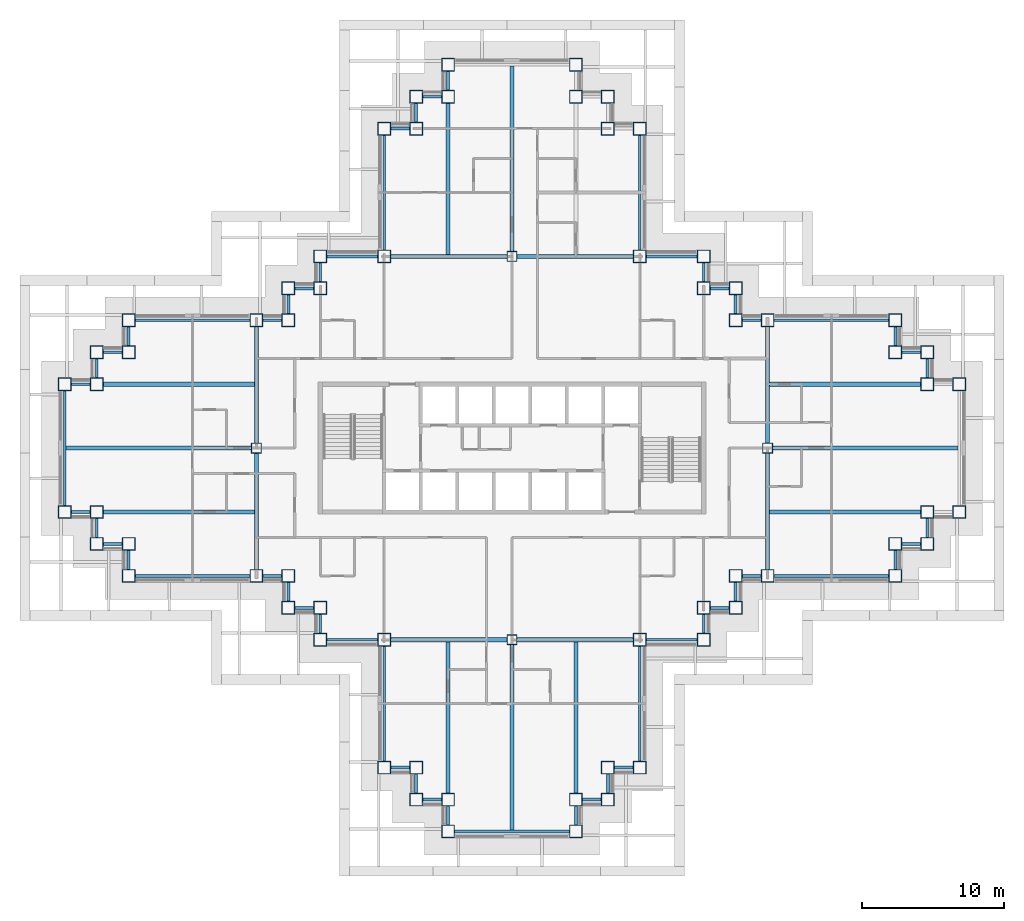
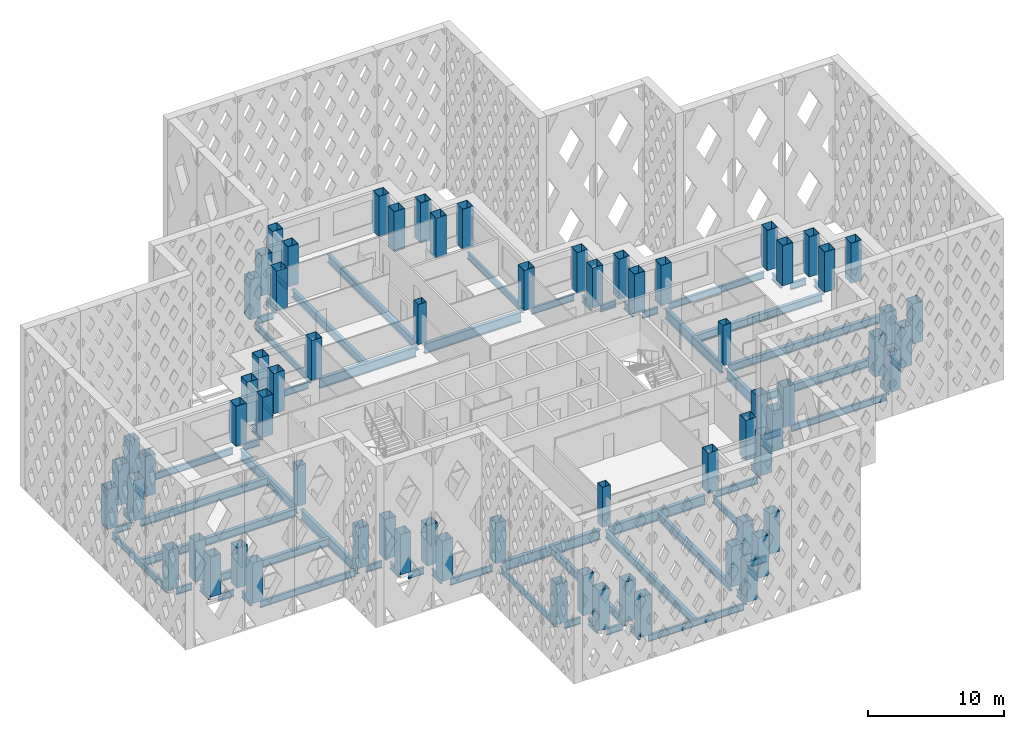
# One storey, part 1 of 21: 75 beams, 68 columns.
"""IFC4 building model written with IfcOpenShell, lengths in metres."""

import ifcopenshell
import ifcopenshell.guid

model = None  # the IFC model being written
_history = None  # IfcOwnerHistory: only IFC2X3 demands one
_inside = {}  # id of a spatial element -> (the spatial element, [elements in it])
_under = {}  # id of a project, library or spatial element -> (it, [spatial elements below it])
_declared = {}  # id of a project -> (the project, [libraries it declares])
_typed = {}  # id of a type object -> (the type object, [elements of that type])
_made_of = {}  # id of a material, layer set ... -> (it, [elements and type objects made of it])


def new_model(schema):
    """Start an empty IFC model of exactly this schema.

    Asked for "IFC4X3", IfcOpenShell would pick the latest addendum, in which some entities
    have other attributes; the version numbers below select the first issue.
    IFC2X3 requires an IfcOwnerHistory on every rooted entity: one is made here for all.
    """
    global model, _history
    if schema == "IFC4X3":
        model = ifcopenshell.file(schema_version=(4, 3, 0, 0))
    else:
        model = ifcopenshell.file(schema=schema)
    _inside.clear()
    _under.clear()
    _declared.clear()
    _typed.clear()
    _made_of.clear()
    _history = None
    if model.schema == "IFC2X3":
        org = make("IfcOrganization", Name="unknown")
        user = make(
            "IfcPersonAndOrganization",
            ThePerson=make("IfcPerson", FamilyName="unknown"),
            TheOrganization=org,
        )
        app = make(
            "IfcApplication",
            ApplicationDeveloper=org,
            Version="unknown",
            ApplicationFullName="unknown",
            ApplicationIdentifier="unknown",
        )
        _history = make(
            "IfcOwnerHistory",
            OwningUser=user,
            OwningApplication=app,
            ChangeAction="ADDED",
            CreationDate=0,
        )
    return model


def make(cls, **values):
    """One entity of the class cls with the attributes given. An attribute that is None is left unset."""
    return model.create_entity(
        cls, **{name: value for name, value in values.items() if value is not None}
    )


def rooted(cls, **values):
    """An entity with a GlobalId (a new one), such as an element, a storey or a relation."""
    return make(cls, GlobalId=ifcopenshell.guid.new(), OwnerHistory=_history, **values)


def si_unit(unit_type, name, prefix=None):
    """IfcSIUnit, for example si_unit("LENGTHUNIT", "METRE", prefix="MILLI")."""
    return make("IfcSIUnit", UnitType=unit_type, Prefix=prefix, Name=name)


def assignment(units):
    """IfcUnitAssignment: the units of a project."""
    return None if units is None else make("IfcUnitAssignment", Units=units)


def point(xyz):
    """IfcCartesianPoint."""
    return None if xyz is None else make("IfcCartesianPoint", Coordinates=xyz)


def direction(xyz):
    """IfcDirection."""
    return None if xyz is None else make("IfcDirection", DirectionRatios=xyz)


def frame(location, z_axis=None, x_axis=None):
    """IfcAxis2Placement3D, a coordinate frame: its origin and axes. An axis left out is left unset."""
    return make(
        "IfcAxis2Placement3D",
        Location=point(location),
        Axis=direction(z_axis),
        RefDirection=direction(x_axis),
    )


def frame_2d(location, x_axis=None):
    """IfcAxis2Placement2D, a coordinate frame in the plane: its origin and x axis."""
    return make(
        "IfcAxis2Placement2D", Location=point(location), RefDirection=direction(x_axis)
    )


def origin():
    """The frame at (0, 0, 0) with its axes left unset."""
    return frame((0.0, 0.0, 0.0))


def origin_2d():
    """The frame at (0, 0) in the plane with its x axis left unset."""
    return frame_2d((0.0, 0.0))


def place(relative_to, where):
    """IfcLocalPlacement: puts the frame where relative to a parent placement (None: the world)."""
    return make(
        "IfcLocalPlacement", PlacementRelTo=relative_to, RelativePlacement=where
    )


def context(
    kind, dimensions, precision=None, world=None, true_north=None, identifier=None
):
    """IfcGeometricRepresentationContext, for example the 3D "Model" context."""
    return make(
        "IfcGeometricRepresentationContext",
        ContextIdentifier=identifier,
        ContextType=kind,
        CoordinateSpaceDimension=dimensions,
        Precision=precision,
        WorldCoordinateSystem=world,
        TrueNorth=true_north,
    )


def subcontext(parent, identifier, kind, view, scale=None):
    """IfcGeometricRepresentationSubContext, for example "Body" below "Model"."""
    return make(
        "IfcGeometricRepresentationSubContext",
        ContextIdentifier=identifier,
        ContextType=kind,
        ParentContext=parent,
        TargetScale=scale,
        TargetView=view,
    )


def project(units=None, contexts=None):
    """IfcProject with its units and contexts."""
    return rooted(
        "IfcProject",
        Name="project",
        RepresentationContexts=contexts,
        UnitsInContext=assignment(units),
    )


def spatial(cls, under=None, at=None, **own):
    """A site, building, storey or space (cls), placed at a placement, below another one or the project."""
    s = rooted(cls, ObjectPlacement=at, **own)
    if under is not None:
        _under.setdefault(under.id(), (under, []))[1].append(s)
    return s


def profile(cls, at=None, kind="AREA", **sizes):
    """A parametric profile (cls). Its sizes go by their IFC names, for example OverallWidth=200.0."""
    return make(cls, ProfileType=kind, Position=at, **sizes)


def hollow_rectangle(**sizes):
    """IfcRectangleHollowProfileDef."""
    return profile("IfcRectangleHollowProfileDef", **sizes)


def i_section(**sizes):
    """IfcIShapeProfileDef."""
    return profile("IfcIShapeProfileDef", **sizes)


def extrude(swept, where, along, depth):
    """IfcExtrudedAreaSolid: the profile swept, set in the frame where, extruded along a direction by depth."""
    return make(
        "IfcExtrudedAreaSolid",
        SweptArea=swept,
        Position=where,
        ExtrudedDirection=direction(along),
        Depth=depth,
    )


def shape(context_of_items, identifier, shape_type, items):
    """IfcShapeRepresentation: the items that make up one representation, for example the "Body"."""
    return make(
        "IfcShapeRepresentation",
        ContextOfItems=context_of_items,
        RepresentationIdentifier=identifier,
        RepresentationType=shape_type,
        Items=items,
    )


def material(Name=None, Category=None):
    """IfcMaterial."""
    return make("IfcMaterial", Name=Name, Category=Category)


def material_profile(
    of_material, cross_section, Name=None, Category=None, Priority=None
):
    """IfcMaterialProfile: a cross section and its material."""
    return make(
        "IfcMaterialProfile",
        Name=Name,
        Material=of_material,
        Profile=cross_section,
        Priority=Priority,
        Category=Category,
    )


def profile_set(profiles, Name=None, composite=None):
    """IfcMaterialProfileSet."""
    return make(
        "IfcMaterialProfileSet",
        Name=Name,
        MaterialProfiles=profiles,
        CompositeProfile=composite,
    )


def made_of(thing, what):
    """Note that an element or type object is made of a material, layer set ...; save() writes the relation."""
    if what is not None:
        _made_of.setdefault(what.id(), (what, []))[1].append(thing)
    return thing


def type_object(cls, material=None, **own):
    """A type object (cls), such as IfcWallType, which elements share."""
    return made_of(rooted(cls, **own), material)


def element(
    cls,
    number,
    at=None,
    inside=None,
    cuts=None,
    type_object=None,
    material=None,
    context=None,
    identifier="Body",
    shape_type=None,
    held_by="IfcProductDefinitionShape",
    body=None,
    shapes=None,
    **own,
):
    """One element of the class cls, such as IfcWall. Its Tag is "e" and its number.

    at: its placement. inside: the storey or other place that contains it. cuts: it is an
    opening in that element (IfcRelVoidsElement). A single representation is given by context,
    identifier, shape_type and body (its items); several are given by shapes. held_by: the class
    of the entity that holds the representations. save() writes the other relations.
    """
    e = rooted(cls, Tag="e%d" % number, ObjectPlacement=at, **own)
    if body is not None:
        shapes = [shape(context, identifier, shape_type, body)]
    if shapes is not None:
        e.Representation = make(held_by, Representations=shapes)
    if inside is not None:
        _inside.setdefault(inside.id(), (inside, []))[1].append(e)
    if cuts is not None:
        rooted(
            "IfcRelVoidsElement", RelatingBuildingElement=cuts, RelatedOpeningElement=e
        )
    if type_object is not None:
        _typed.setdefault(type_object.id(), (type_object, []))[1].append(e)
    return made_of(e, material)


def aggregate(whole, parts):
    """IfcRelAggregates: a whole, such as a stair, and the parts it consists of."""
    return rooted("IfcRelAggregates", RelatingObject=whole, RelatedObjects=parts)


def save(model, path):
    """Write the relations noted so far, then the file.

    IfcRelAggregates (storeys below a building ...), IfcRelContainedInSpatialStructure (elements
    in a storey), IfcRelDefinesByType, IfcRelAssociatesMaterial and IfcRelDeclares: one each for
    every whole, place, type object, material and project.
    """
    for whole, parts in _under.values():
        aggregate(whole, parts)
    for where, things in _inside.values():
        rooted(
            "IfcRelContainedInSpatialStructure",
            RelatedElements=things,
            RelatingStructure=where,
        )
    for kind, things in _typed.values():
        rooted("IfcRelDefinesByType", RelatedObjects=things, RelatingType=kind)
    for what, things in _made_of.values():
        rooted("IfcRelAssociatesMaterial", RelatedObjects=things, RelatingMaterial=what)
    for by, libraries in _declared.values():
        rooted("IfcRelDeclares", RelatingContext=by, RelatedDefinitions=libraries)
    model.write(path)


model = new_model("IFC4")

# Units and contexts
model_context = context("Model", 3, precision=1e-05, world=origin(), true_north=direction((0.0, 1.0)))
body_context = subcontext(model_context, "Body", "Model", "MODEL_VIEW")
ifc_project = project(units=[si_unit("LENGTHUNIT", "METRE"), si_unit("AREAUNIT", "SQUARE_METRE"), si_unit("VOLUMEUNIT", "CUBIC_METRE"), si_unit("PLANEANGLEUNIT", "RADIAN"), si_unit("MASSUNIT", "GRAM", prefix="KILO")], contexts=[model_context])

# Site, building, storey
site_placement = place(None, origin())
site = spatial("IfcSite", under=ifc_project, at=site_placement, CompositionType="ELEMENT")
building_placement = place(site_placement, origin())
building = spatial("IfcBuilding", under=site, at=building_placement, Name="Caravel Reach Hotel and Residences", CompositionType="ELEMENT")
storey_placement = place(building_placement, frame((0.0, 0.0, 115.199951171875)))
storey = spatial("IfcBuildingStorey", under=building, at=storey_placement, Name="L28", CompositionType="ELEMENT", Elevation=115.199951171875)

# Columns
ifc_material_1 = material(Name="Concrete-filled steel tube Q390B with Concrete C70 infill", Category="concrete")
ifc_material_profile_1 = material_profile(ifc_material_1, hollow_rectangle(XDim=0.699951171875, YDim=0.699951171875, WallThickness=0.02197265625, at=origin_2d()), Name="RHS 700x700x22")
ifc_profile_set_1 = profile_set([ifc_material_profile_1], Name="Concrete-filled steel tube Q390B with Concrete C70 infill")
column_type_1 = type_object("IfcColumnType", Name="CFT 700x700 Q390B C70", PredefinedType="COLUMN", material=ifc_profile_set_1)
for number, where, z_axis, x_axis, name in (
    (1, (31.5, 40.5, 0.0), (0.0, 0.0, 1.0), (1.0, 0.0, 0.0), "C6 column"),
    (2, (31.5, 13.5, 0.0), (0.0, 0.0, 1.0), (1.0, 0.0, 0.0), "C6 column"),
    (3, (13.5, 27.0, 0.0), (0.0, 0.0, 1.0), (1.0, 0.0, 0.0), "C6 column"),
    (4, (49.5, 27.0, 0.0), (0.0, 0.0, 1.0), (1.0, 0.0, 0.0), "C6 column"),
):
    element("IfcColumn", number, at=place(storey_placement, frame(where, z_axis=z_axis, x_axis=x_axis)), inside=storey, type_object=column_type_1, Name=name, PredefinedType="COLUMN", context=body_context, shape_type="SweptSolid", body=[
        extrude(hollow_rectangle(XDim=0.699951171875, YDim=0.699951171875, WallThickness=0.02197265625, at=origin_2d()), origin(), (0.0, 0.0, 1.0), 3.60009765625),
    ])
ifc_material_2 = material(Name="Concrete-filled steel tube Q390B with Concrete C70 infill", Category="concrete")
ifc_material_profile_2 = material_profile(ifc_material_2, hollow_rectangle(XDim=0.89990234375, YDim=0.89990234375, WallThickness=0.028076171875, at=origin_2d()), Name="RHS 900x900x28")
ifc_profile_set_2 = profile_set([ifc_material_profile_2], Name="Concrete-filled steel tube Q390B with Concrete C70 infill")
column_type_2 = type_object("IfcColumnType", Name="CFT 900x900 Q390B C70", PredefinedType="COLUMN", material=ifc_profile_set_2)
for number, where, z_axis, x_axis, name in (
    (5, (22.5, 4.5, 0.0), (0.0, 0.0, 1.0), (1.0, 0.0, 0.0), "C3 column"),
    (6, (24.75, 4.5, 0.0), (0.0, 0.0, 1.0), (1.0, 0.0, 0.0), "C3 column"),
    (7, (24.75, 2.25, 0.0), (0.0, 0.0, 1.0), (1.0, 0.0, 0.0), "C3 column"),
    (8, (27.0, 2.25, 0.0), (0.0, 0.0, 1.0), (1.0, 0.0, 0.0), "C3 column"),
    (9, (27.0, 0.0, 0.0), (0.0, 0.0, 1.0), (1.0, 0.0, 0.0), "C3 column"),
    (10, (36.0, 0.0, 0.0), (0.0, 0.0, 1.0), (1.0, 0.0, 0.0), "C3 column"),
    (11, (36.0, 2.25, 0.0), (0.0, 0.0, 1.0), (1.0, 0.0, 0.0), "C3 column"),
    (12, (38.25, 2.25, 0.0), (0.0, 0.0, 1.0), (1.0, 0.0, 0.0), "C3 column"),
    (13, (38.25, 4.5, 0.0), (0.0, 0.0, 1.0), (1.0, 0.0, 0.0), "C3 column"),
    (14, (40.5, 4.5, 0.0), (0.0, 0.0, 1.0), (1.0, 0.0, 0.0), "C3 column"),
    (15, (40.5, 13.5, 0.0), (0.0, 0.0, 1.0), (1.0, 0.0, 0.0), "C3 column"),
    (16, (45.0, 13.5, 0.0), (0.0, 0.0, 1.0), (1.0, 0.0, 0.0), "C3 column"),
    (17, (45.0, 15.75, 0.0), (0.0, 0.0, 1.0), (1.0, 0.0, 0.0), "C3 column"),
    (18, (47.25, 15.75, 0.0), (0.0, 0.0, 1.0), (1.0, 0.0, 0.0), "C3 column"),
    (19, (47.25, 18.0, 0.0), (0.0, 0.0, 1.0), (1.0, 0.0, 0.0), "C3 column"),
    (20, (49.5, 18.0, 0.0), (0.0, 0.0, 1.0), (1.0, 0.0, 0.0), "C3 column"),
    (21, (58.5, 18.0, 0.0), (0.0, 0.0, 1.0), (1.0, 0.0, 0.0), "C3 column"),
    (22, (58.5, 20.25, 0.0), (0.0, 0.0, 1.0), (1.0, 0.0, 0.0), "C3 column"),
    (23, (60.75, 20.25, 0.0), (0.0, 0.0, 1.0), (1.0, 0.0, 0.0), "C3 column"),
    (24, (60.75, 22.5, 0.0), (0.0, 0.0, 1.0), (1.0, 0.0, 0.0), "C3 column"),
    (25, (63.0, 22.5, 0.0), (0.0, 0.0, 1.0), (1.0, 0.0, 0.0), "C3 column"),
    (26, (63.0, 31.5, 0.0), (0.0, 0.0, 1.0), (1.0, 0.0, 0.0), "C3 column"),
    (27, (60.75, 31.5, 0.0), (0.0, 0.0, 1.0), (1.0, 0.0, 0.0), "C3 column"),
    (28, (60.75, 33.75, 0.0), (0.0, 0.0, 1.0), (1.0, 0.0, 0.0), "C3 column"),
    (29, (58.5, 33.75, 0.0), (0.0, 0.0, 1.0), (1.0, 0.0, 0.0), "C3 column"),
    (30, (58.5, 36.0, 0.0), (0.0, 0.0, 1.0), (1.0, 0.0, 0.0), "C3 column"),
    (31, (49.5, 36.0, 0.0), (0.0, 0.0, 1.0), (1.0, 0.0, 0.0), "C3 column"),
    (32, (47.25, 36.0, 0.0), (0.0, 0.0, 1.0), (1.0, 0.0, 0.0), "C3 column"),
    (33, (47.25, 38.25, 0.0), (0.0, 0.0, 1.0), (1.0, 0.0, 0.0), "C3 column"),
    (34, (45.0, 38.25, 0.0), (0.0, 0.0, 1.0), (1.0, 0.0, 0.0), "C3 column"),
    (35, (45.0, 40.5, 0.0), (0.0, 0.0, 1.0), (1.0, 0.0, 0.0), "C3 column"),
    (36, (40.5, 40.5, 0.0), (0.0, 0.0, 1.0), (1.0, 0.0, 0.0), "C3 column"),
    (37, (40.5, 49.5, 0.0), (0.0, 0.0, 1.0), (1.0, 0.0, 0.0), "C3 column"),
    (38, (38.25, 49.5, 0.0), (0.0, 0.0, 1.0), (1.0, 0.0, 0.0), "C3 column"),
    (39, (38.25, 51.75, 0.0), (0.0, 0.0, 1.0), (1.0, 0.0, 0.0), "C3 column"),
    (40, (36.0, 51.75, 0.0), (0.0, 0.0, 1.0), (1.0, 0.0, 0.0), "C3 column"),
    (41, (36.0, 54.0, 0.0), (0.0, 0.0, 1.0), (1.0, 0.0, 0.0), "C3 column"),
    (42, (27.0, 54.0, 0.0), (0.0, 0.0, 1.0), (1.0, 0.0, 0.0), "C3 column"),
    (43, (27.0, 51.75, 0.0), (0.0, 0.0, 1.0), (1.0, 0.0, 0.0), "C3 column"),
    (44, (24.75, 51.75, 0.0), (0.0, 0.0, 1.0), (1.0, 0.0, 0.0), "C3 column"),
    (45, (24.75, 49.5, 0.0), (0.0, 0.0, 1.0), (1.0, 0.0, 0.0), "C3 column"),
    (46, (22.5, 49.5, 0.0), (0.0, 0.0, 1.0), (1.0, 0.0, 0.0), "C3 column"),
    (47, (22.5, 40.5, 0.0), (0.0, 0.0, 1.0), (1.0, 0.0, 0.0), "C3 column"),
    (48, (18.0, 40.5, 0.0), (0.0, 0.0, 1.0), (1.0, 0.0, 0.0), "C3 column"),
    (49, (18.0, 38.25, 0.0), (0.0, 0.0, 1.0), (1.0, 0.0, 0.0), "C3 column"),
    (50, (15.75, 38.25, 0.0), (0.0, 0.0, 1.0), (1.0, 0.0, 0.0), "C3 column"),
    (51, (15.75, 36.0, 0.0), (0.0, 0.0, 1.0), (1.0, 0.0, 0.0), "C3 column"),
    (52, (13.5, 36.0, 0.0), (0.0, 0.0, 1.0), (1.0, 0.0, 0.0), "C3 column"),
    (53, (4.5, 36.0, 0.0), (0.0, 0.0, 1.0), (1.0, 0.0, 0.0), "C3 column"),
    (54, (4.5, 33.75, 0.0), (0.0, 0.0, 1.0), (1.0, 0.0, 0.0), "C3 column"),
    (55, (2.25, 33.75, 0.0), (0.0, 0.0, 1.0), (1.0, 0.0, 0.0), "C3 column"),
    (56, (2.25, 31.5, 0.0), (0.0, 0.0, 1.0), (1.0, 0.0, 0.0), "C3 column"),
    (57, (0.0, 31.5, 0.0), (0.0, 0.0, 1.0), (1.0, 0.0, 0.0), "C3 column"),
    (58, (0.0, 22.5, 0.0), (0.0, 0.0, 1.0), (1.0, 0.0, 0.0), "C3 column"),
    (59, (2.25, 22.5, 0.0), (0.0, 0.0, 1.0), (1.0, 0.0, 0.0), "C3 column"),
    (60, (2.25, 20.25, 0.0), (0.0, 0.0, 1.0), (1.0, 0.0, 0.0), "C3 column"),
    (61, (4.5, 20.25, 0.0), (0.0, 0.0, 1.0), (1.0, 0.0, 0.0), "C3 column"),
    (62, (4.5, 18.0, 0.0), (0.0, 0.0, 1.0), (1.0, 0.0, 0.0), "C3 column"),
    (63, (13.5, 18.0, 0.0), (0.0, 0.0, 1.0), (1.0, 0.0, 0.0), "C3 column"),
    (64, (15.75, 18.0, 0.0), (0.0, 0.0, 1.0), (1.0, 0.0, 0.0), "C3 column"),
    (65, (15.75, 15.75, 0.0), (0.0, 0.0, 1.0), (1.0, 0.0, 0.0), "C3 column"),
    (66, (18.0, 15.75, 0.0), (0.0, 0.0, 1.0), (1.0, 0.0, 0.0), "C3 column"),
    (67, (18.0, 13.5, 0.0), (0.0, 0.0, 1.0), (1.0, 0.0, 0.0), "C3 column"),
    (68, (22.5, 13.5, 0.0), (0.0, 0.0, 1.0), (1.0, 0.0, 0.0), "C3 column"),
):
    element("IfcColumn", number, at=place(storey_placement, frame(where, z_axis=z_axis, x_axis=x_axis)), inside=storey, type_object=column_type_2, Name=name, PredefinedType="COLUMN", context=body_context, shape_type="SweptSolid", body=[
        extrude(hollow_rectangle(XDim=0.89990234375, YDim=0.89990234375, WallThickness=0.028076171875, at=origin_2d()), origin(), (0.0, 0.0, 1.0), 3.60009765625),
    ])

# Beams
ifc_material_3 = material(Name="Structural steel Q355B", Category="steel")
ifc_material_profile_3 = material_profile(ifc_material_3, i_section(OverallWidth=0.300048828125, OverallDepth=0.699951171875, WebThickness=0.012939453125, FlangeThickness=0.02392578125, FilletRadius=0.01806640625, at=origin_2d()), Name="HN 700x300x13x24")
ifc_profile_set_3 = profile_set([ifc_material_profile_3], Name="Structural steel Q355B")
beam_type_1 = type_object("IfcBeamType", Name="Beam HN 700x300x13x24", PredefinedType="BEAM", material=ifc_profile_set_3)
beam_1_placement = place(storey_placement, frame((27.0, 40.60009765625, -0.64990234375), z_axis=(0.0, 1.0, 0.0), x_axis=(-1.0, 0.0, 0.0)))
element("IfcBeam", 69, at=beam_1_placement, inside=storey, type_object=beam_type_1, Name="B2 HN 700x300x13x24", PredefinedType="BEAM", context=body_context, shape_type="SweptSolid", body=[
    extrude(i_section(OverallWidth=0.300048828125, OverallDepth=0.699951171875, WebThickness=0.012939453125, FlangeThickness=0.02392578125, FilletRadius=0.01806640625, at=origin_2d()), origin(), (0.0, 0.0, 1.0), 10.75),
])
beam_2_placement = place(storey_placement, frame((31.5, 40.800048828125, -0.64990234375), z_axis=(0.0, 1.0, 0.0), x_axis=(-1.0, 0.0, 0.0)))
element("IfcBeam", 70, at=beam_2_placement, inside=storey, type_object=beam_type_1, Name="B2 HN 700x300x13x24", PredefinedType="BEAM", context=body_context, shape_type="SweptSolid", body=[
    extrude(i_section(OverallWidth=0.300048828125, OverallDepth=0.699951171875, WebThickness=0.012939453125, FlangeThickness=0.02392578125, FilletRadius=0.01806640625, at=origin_2d()), origin(), (0.0, 0.0, 1.0), 13.099853515625),
])
beam_3_placement = place(storey_placement, frame((27.0, 13.39990234375, -0.64990234375), z_axis=(0.0, -1.0, 0.0), x_axis=(1.0, 0.0, 0.0)))
element("IfcBeam", 71, at=beam_3_placement, inside=storey, type_object=beam_type_1, Name="B2 HN 700x300x13x24", PredefinedType="BEAM", context=body_context, shape_type="SweptSolid", body=[
    extrude(i_section(OverallWidth=0.300048828125, OverallDepth=0.699951171875, WebThickness=0.012939453125, FlangeThickness=0.02392578125, FilletRadius=0.01806640625, at=origin_2d()), origin(), (0.0, 0.0, 1.0), 10.75),
])
beam_4_placement = place(storey_placement, frame((31.5, 13.199951171875, -0.64990234375), z_axis=(0.0, -1.0, 0.0), x_axis=(1.0, 0.0, 0.0)))
element("IfcBeam", 72, at=beam_4_placement, inside=storey, type_object=beam_type_1, Name="B2 HN 700x300x13x24", PredefinedType="BEAM", context=body_context, shape_type="SweptSolid", body=[
    extrude(i_section(OverallWidth=0.300048828125, OverallDepth=0.699951171875, WebThickness=0.012939453125, FlangeThickness=0.02392578125, FilletRadius=0.01806640625, at=origin_2d()), origin(), (0.0, 0.0, 1.0), 13.099853515625),
])
for number, where, z_axis, x_axis, name in (
    (73, (36.0, 13.39990234375, -0.64990234375), (0.0, -1.0, 0.0), (1.0, 0.0, 0.0), "B2 HN 700x300x13x24"),
    (74, (49.60009765625, 22.5, -0.64990234375), (1.0, 0.0, 0.0), (0.0, 1.0, 0.0), "B2 HN 700x300x13x24"),
):
    element("IfcBeam", number, at=place(storey_placement, frame(where, z_axis=z_axis, x_axis=x_axis)), inside=storey, type_object=beam_type_1, Name=name, PredefinedType="BEAM", context=body_context, shape_type="SweptSolid", body=[
        extrude(i_section(OverallWidth=0.300048828125, OverallDepth=0.699951171875, WebThickness=0.012939453125, FlangeThickness=0.02392578125, FilletRadius=0.01806640625, at=origin_2d()), origin(), (0.0, 0.0, 1.0), 10.75),
    ])
beam_5_placement = place(storey_placement, frame((49.800048828125, 27.0, -0.64990234375), z_axis=(1.0, 0.0, 0.0), x_axis=(0.0, 1.0, 0.0)))
element("IfcBeam", 75, at=beam_5_placement, inside=storey, type_object=beam_type_1, Name="B2 HN 700x300x13x24", PredefinedType="BEAM", context=body_context, shape_type="SweptSolid", body=[
    extrude(i_section(OverallWidth=0.300048828125, OverallDepth=0.699951171875, WebThickness=0.012939453125, FlangeThickness=0.02392578125, FilletRadius=0.01806640625, at=origin_2d()), origin(), (0.0, 0.0, 1.0), 13.099853515625),
])
for number, where, z_axis, x_axis, name in (
    (76, (49.60009765625, 31.5, -0.64990234375), (1.0, 0.0, 0.0), (0.0, 1.0, 0.0), "B2 HN 700x300x13x24"),
    (77, (13.39990234375, 22.5, -0.64990234375), (-1.0, 0.0, 0.0), (0.0, -1.0, 0.0), "B2 HN 700x300x13x24"),
):
    element("IfcBeam", number, at=place(storey_placement, frame(where, z_axis=z_axis, x_axis=x_axis)), inside=storey, type_object=beam_type_1, Name=name, PredefinedType="BEAM", context=body_context, shape_type="SweptSolid", body=[
        extrude(i_section(OverallWidth=0.300048828125, OverallDepth=0.699951171875, WebThickness=0.012939453125, FlangeThickness=0.02392578125, FilletRadius=0.01806640625, at=origin_2d()), origin(), (0.0, 0.0, 1.0), 10.75),
    ])
beam_6_placement = place(storey_placement, frame((13.199951171875, 27.0, -0.64990234375), z_axis=(-1.0, 0.0, 0.0), x_axis=(0.0, -1.0, 0.0)))
element("IfcBeam", 78, at=beam_6_placement, inside=storey, type_object=beam_type_1, Name="B2 HN 700x300x13x24", PredefinedType="BEAM", context=body_context, shape_type="SweptSolid", body=[
    extrude(i_section(OverallWidth=0.300048828125, OverallDepth=0.699951171875, WebThickness=0.012939453125, FlangeThickness=0.02392578125, FilletRadius=0.01806640625, at=origin_2d()), origin(), (0.0, 0.0, 1.0), 13.099853515625),
])
beam_7_placement = place(storey_placement, frame((13.39990234375, 31.5, -0.64990234375), z_axis=(-1.0, 0.0, 0.0), x_axis=(0.0, -1.0, 0.0)))
element("IfcBeam", 79, at=beam_7_placement, inside=storey, type_object=beam_type_1, Name="B2 HN 700x300x13x24", PredefinedType="BEAM", context=body_context, shape_type="SweptSolid", body=[
    extrude(i_section(OverallWidth=0.300048828125, OverallDepth=0.699951171875, WebThickness=0.012939453125, FlangeThickness=0.02392578125, FilletRadius=0.01806640625, at=origin_2d()), origin(), (0.0, 0.0, 1.0), 10.75),
])
ifc_material_4 = material(Name="Structural steel Q355B", Category="steel")
ifc_material_profile_4 = material_profile(ifc_material_4, i_section(OverallWidth=0.300048828125, OverallDepth=0.89990234375, WebThickness=0.01611328125, FlangeThickness=0.028076171875, FilletRadius=0.01806640625, at=origin_2d()), Name="HN 900x300x16x28")
ifc_profile_set_4 = profile_set([ifc_material_profile_4], Name="Structural steel Q355B")
beam_type_2 = type_object("IfcBeamType", Name="Beam HN 900x300x16x28", PredefinedType="BEAM", material=ifc_profile_set_4)
for number, where, z_axis, x_axis, name in (
    (80, (22.949951171875, 40.5, -0.75), (1.0, 0.0, 0.0), (0.0, 1.0, 0.0), "B3 HN 900x300x16x28"),
    (81, (31.85009765625, 40.5, -0.75), (1.0, 0.0, 0.0), (0.0, 1.0, 0.0), "B3 HN 900x300x16x28"),
    (82, (22.949951171875, 13.5, -0.75), (1.0, 0.0, 0.0), (0.0, 1.0, 0.0), "B3 HN 900x300x16x28"),
    (83, (31.85009765625, 13.5, -0.75), (1.0, 0.0, 0.0), (0.0, 1.0, 0.0), "B3 HN 900x300x16x28"),
    (84, (13.5, 18.449951171875, -0.75), (0.0, 1.0, 0.0), (-1.0, 0.0, 0.0), "B3 HN 900x300x16x28"),
    (85, (13.5, 27.35009765625, -0.75), (0.0, 1.0, 0.0), (-1.0, 0.0, 0.0), "B3 HN 900x300x16x28"),
    (86, (49.5, 18.449951171875, -0.75), (0.0, 1.0, 0.0), (-1.0, 0.0, 0.0), "B3 HN 900x300x16x28"),
    (87, (49.5, 27.35009765625, -0.75), (0.0, 1.0, 0.0), (-1.0, 0.0, 0.0), "B3 HN 900x300x16x28"),
):
    element("IfcBeam", number, at=place(storey_placement, frame(where, z_axis=z_axis, x_axis=x_axis)), inside=storey, type_object=beam_type_2, Name=name, PredefinedType="BEAM", context=body_context, shape_type="SweptSolid", body=[
        extrude(i_section(OverallWidth=0.300048828125, OverallDepth=0.89990234375, WebThickness=0.01611328125, FlangeThickness=0.028076171875, FilletRadius=0.01806640625, at=origin_2d()), origin(), (0.0, 0.0, 1.0), 8.199951171875),
    ])
ifc_material_5 = material(Name="Structural steel Q355B", Category="steel")
ifc_material_profile_5 = material_profile(ifc_material_5, i_section(OverallWidth=0.199951171875, OverallDepth=0.60009765625, WebThickness=0.010986328125, FlangeThickness=0.01708984375, FilletRadius=0.012939453125, at=origin_2d()), Name="HN 600x200x11x17")
ifc_profile_set_5 = profile_set([ifc_material_profile_5], Name="Structural steel Q355B")
beam_type_3 = type_object("IfcBeamType", Name="Spandrel beam HN 600x200x11x17", PredefinedType="SPANDREL", material=ifc_profile_set_5)
for number, where, z_axis, x_axis, name in (
    (88, (22.949951171875, 4.5, -0.599853515625), (1.0, 0.0, 0.0), (0.0, 1.0, 0.0), "SP1 HN 600x200x11x17"),
    (89, (24.75, 4.050048828125, -0.599853515625), (0.0, -1.0, 0.0), (1.0, 0.0, 0.0), "SP1 HN 600x200x11x17"),
    (90, (25.199951171875, 2.25, -0.599853515625), (1.0, 0.0, 0.0), (0.0, 1.0, 0.0), "SP1 HN 600x200x11x17"),
    (91, (27.0, 1.800048828125, -0.599853515625), (0.0, -1.0, 0.0), (1.0, 0.0, 0.0), "SP1 HN 600x200x11x17"),
):
    element("IfcBeam", number, at=place(storey_placement, frame(where, z_axis=z_axis, x_axis=x_axis)), inside=storey, type_object=beam_type_3, Name=name, PredefinedType="SPANDREL", context=body_context, shape_type="SweptSolid", body=[
        extrude(i_section(OverallWidth=0.199951171875, OverallDepth=0.60009765625, WebThickness=0.010986328125, FlangeThickness=0.01708984375, FilletRadius=0.012939453125, at=origin_2d()), origin(), (0.0, 0.0, 1.0), 1.35009765625),
    ])
beam_8_placement = place(storey_placement, frame((27.449951171875, 0.0, -0.599853515625), z_axis=(1.0, 0.0, 0.0), x_axis=(0.0, 1.0, 0.0)))
element("IfcBeam", 92, at=beam_8_placement, inside=storey, type_object=beam_type_3, Name="SP1 HN 600x200x11x17", PredefinedType="SPANDREL", context=body_context, shape_type="SweptSolid", body=[
    extrude(i_section(OverallWidth=0.199951171875, OverallDepth=0.60009765625, WebThickness=0.010986328125, FlangeThickness=0.01708984375, FilletRadius=0.012939453125, at=origin_2d()), origin(), (0.0, 0.0, 1.0), 8.10009765625),
])
for number, where, z_axis, x_axis, name in (
    (93, (36.0, 0.449951171875, -0.599853515625), (0.0, 1.0, 0.0), (-1.0, 0.0, 0.0), "SP1 HN 600x200x11x17"),
    (94, (36.449951171875, 2.25, -0.599853515625), (1.0, 0.0, 0.0), (0.0, 1.0, 0.0), "SP1 HN 600x200x11x17"),
    (95, (38.25, 2.699951171875, -0.599853515625), (0.0, 1.0, 0.0), (-1.0, 0.0, 0.0), "SP1 HN 600x200x11x17"),
    (96, (38.699951171875, 4.5, -0.599853515625), (1.0, 0.0, 0.0), (0.0, 1.0, 0.0), "SP1 HN 600x200x11x17"),
):
    element("IfcBeam", number, at=place(storey_placement, frame(where, z_axis=z_axis, x_axis=x_axis)), inside=storey, type_object=beam_type_3, Name=name, PredefinedType="SPANDREL", context=body_context, shape_type="SweptSolid", body=[
        extrude(i_section(OverallWidth=0.199951171875, OverallDepth=0.60009765625, WebThickness=0.010986328125, FlangeThickness=0.01708984375, FilletRadius=0.012939453125, at=origin_2d()), origin(), (0.0, 0.0, 1.0), 1.35009765625),
    ])
beam_9_placement = place(storey_placement, frame((40.5, 4.949951171875, -0.599853515625), z_axis=(0.0, 1.0, 0.0), x_axis=(-1.0, 0.0, 0.0)))
element("IfcBeam", 97, at=beam_9_placement, inside=storey, type_object=beam_type_3, Name="SP1 HN 600x200x11x17", PredefinedType="SPANDREL", context=body_context, shape_type="SweptSolid", body=[
    extrude(i_section(OverallWidth=0.199951171875, OverallDepth=0.60009765625, WebThickness=0.010986328125, FlangeThickness=0.01708984375, FilletRadius=0.012939453125, at=origin_2d()), origin(), (0.0, 0.0, 1.0), 8.10009765625),
])
beam_10_placement = place(storey_placement, frame((40.949951171875, 13.5, -0.599853515625), z_axis=(1.0, 0.0, 0.0), x_axis=(0.0, 1.0, 0.0)))
element("IfcBeam", 98, at=beam_10_placement, inside=storey, type_object=beam_type_3, Name="SP1 HN 600x200x11x17", PredefinedType="SPANDREL", context=body_context, shape_type="SweptSolid", body=[
    extrude(i_section(OverallWidth=0.199951171875, OverallDepth=0.60009765625, WebThickness=0.010986328125, FlangeThickness=0.01708984375, FilletRadius=0.012939453125, at=origin_2d()), origin(), (0.0, 0.0, 1.0), 3.60009765625),
])
for number, where, z_axis, x_axis, name in (
    (99, (45.0, 13.949951171875, -0.599853515625), (0.0, 1.0, 0.0), (-1.0, 0.0, 0.0), "SP1 HN 600x200x11x17"),
    (100, (45.449951171875, 15.75, -0.599853515625), (1.0, 0.0, 0.0), (0.0, 1.0, 0.0), "SP1 HN 600x200x11x17"),
    (101, (47.25, 16.199951171875, -0.599853515625), (0.0, 1.0, 0.0), (-1.0, 0.0, 0.0), "SP1 HN 600x200x11x17"),
    (102, (47.699951171875, 18.0, -0.599853515625), (1.0, 0.0, 0.0), (0.0, 1.0, 0.0), "SP1 HN 600x200x11x17"),
):
    element("IfcBeam", number, at=place(storey_placement, frame(where, z_axis=z_axis, x_axis=x_axis)), inside=storey, type_object=beam_type_3, Name=name, PredefinedType="SPANDREL", context=body_context, shape_type="SweptSolid", body=[
        extrude(i_section(OverallWidth=0.199951171875, OverallDepth=0.60009765625, WebThickness=0.010986328125, FlangeThickness=0.01708984375, FilletRadius=0.012939453125, at=origin_2d()), origin(), (0.0, 0.0, 1.0), 1.35009765625),
    ])
beam_11_placement = place(storey_placement, frame((49.949951171875, 18.0, -0.599853515625), z_axis=(1.0, 0.0, 0.0), x_axis=(0.0, 1.0, 0.0)))
element("IfcBeam", 103, at=beam_11_placement, inside=storey, type_object=beam_type_3, Name="SP1 HN 600x200x11x17", PredefinedType="SPANDREL", context=body_context, shape_type="SweptSolid", body=[
    extrude(i_section(OverallWidth=0.199951171875, OverallDepth=0.60009765625, WebThickness=0.010986328125, FlangeThickness=0.01708984375, FilletRadius=0.012939453125, at=origin_2d()), origin(), (0.0, 0.0, 1.0), 8.10009765625),
])
for number, where, z_axis, x_axis, name in (
    (104, (58.5, 18.449951171875, -0.599853515625), (0.0, 1.0, 0.0), (-1.0, 0.0, 0.0), "SP1 HN 600x200x11x17"),
    (105, (58.949951171875, 20.25, -0.599853515625), (1.0, 0.0, 0.0), (0.0, 1.0, 0.0), "SP1 HN 600x200x11x17"),
    (106, (60.75, 20.699951171875, -0.599853515625), (0.0, 1.0, 0.0), (-1.0, 0.0, 0.0), "SP1 HN 600x200x11x17"),
    (107, (60.75, 31.949951171875, -0.599853515625), (0.0, 1.0, 0.0), (-1.0, 0.0, 0.0), "SP1 HN 600x200x11x17"),
    (108, (60.300048828125, 33.75, -0.599853515625), (-1.0, 0.0, 0.0), (0.0, -1.0, 0.0), "SP1 HN 600x200x11x17"),
    (109, (58.5, 34.199951171875, -0.599853515625), (0.0, 1.0, 0.0), (-1.0, 0.0, 0.0), "SP1 HN 600x200x11x17"),
):
    element("IfcBeam", number, at=place(storey_placement, frame(where, z_axis=z_axis, x_axis=x_axis)), inside=storey, type_object=beam_type_3, Name=name, PredefinedType="SPANDREL", context=body_context, shape_type="SweptSolid", body=[
        extrude(i_section(OverallWidth=0.199951171875, OverallDepth=0.60009765625, WebThickness=0.010986328125, FlangeThickness=0.01708984375, FilletRadius=0.012939453125, at=origin_2d()), origin(), (0.0, 0.0, 1.0), 1.35009765625),
    ])
beam_12_placement = place(storey_placement, frame((58.050048828125, 36.0, -0.599853515625), z_axis=(-1.0, 0.0, 0.0), x_axis=(0.0, -1.0, 0.0)))
element("IfcBeam", 110, at=beam_12_placement, inside=storey, type_object=beam_type_3, Name="SP1 HN 600x200x11x17", PredefinedType="SPANDREL", context=body_context, shape_type="SweptSolid", body=[
    extrude(i_section(OverallWidth=0.199951171875, OverallDepth=0.60009765625, WebThickness=0.010986328125, FlangeThickness=0.01708984375, FilletRadius=0.012939453125, at=origin_2d()), origin(), (0.0, 0.0, 1.0), 8.10009765625),
])
for number, where, z_axis, x_axis, name in (
    (111, (49.050048828125, 36.0, -0.599853515625), (-1.0, 0.0, 0.0), (0.0, -1.0, 0.0), "SP1 HN 600x200x11x17"),
    (112, (47.25, 36.449951171875, -0.599853515625), (0.0, 1.0, 0.0), (-1.0, 0.0, 0.0), "SP1 HN 600x200x11x17"),
    (113, (46.800048828125, 38.25, -0.599853515625), (-1.0, 0.0, 0.0), (0.0, -1.0, 0.0), "SP1 HN 600x200x11x17"),
    (114, (45.0, 38.699951171875, -0.599853515625), (0.0, 1.0, 0.0), (-1.0, 0.0, 0.0), "SP1 HN 600x200x11x17"),
):
    element("IfcBeam", number, at=place(storey_placement, frame(where, z_axis=z_axis, x_axis=x_axis)), inside=storey, type_object=beam_type_3, Name=name, PredefinedType="SPANDREL", context=body_context, shape_type="SweptSolid", body=[
        extrude(i_section(OverallWidth=0.199951171875, OverallDepth=0.60009765625, WebThickness=0.010986328125, FlangeThickness=0.01708984375, FilletRadius=0.012939453125, at=origin_2d()), origin(), (0.0, 0.0, 1.0), 1.35009765625),
    ])
beam_13_placement = place(storey_placement, frame((44.550048828125, 40.5, -0.599853515625), z_axis=(-1.0, 0.0, 0.0), x_axis=(0.0, -1.0, 0.0)))
element("IfcBeam", 115, at=beam_13_placement, inside=storey, type_object=beam_type_3, Name="SP1 HN 600x200x11x17", PredefinedType="SPANDREL", context=body_context, shape_type="SweptSolid", body=[
    extrude(i_section(OverallWidth=0.199951171875, OverallDepth=0.60009765625, WebThickness=0.010986328125, FlangeThickness=0.01708984375, FilletRadius=0.012939453125, at=origin_2d()), origin(), (0.0, 0.0, 1.0), 3.60009765625),
])
beam_14_placement = place(storey_placement, frame((40.5, 40.949951171875, -0.599853515625), z_axis=(0.0, 1.0, 0.0), x_axis=(-1.0, 0.0, 0.0)))
element("IfcBeam", 116, at=beam_14_placement, inside=storey, type_object=beam_type_3, Name="SP1 HN 600x200x11x17", PredefinedType="SPANDREL", context=body_context, shape_type="SweptSolid", body=[
    extrude(i_section(OverallWidth=0.199951171875, OverallDepth=0.60009765625, WebThickness=0.010986328125, FlangeThickness=0.01708984375, FilletRadius=0.012939453125, at=origin_2d()), origin(), (0.0, 0.0, 1.0), 8.10009765625),
])
for number, where, z_axis, x_axis, name in (
    (117, (27.0, 53.550048828125, -0.599853515625), (0.0, -1.0, 0.0), (1.0, 0.0, 0.0), "SP1 HN 600x200x11x17"),
    (118, (26.550048828125, 51.75, -0.599853515625), (-1.0, 0.0, 0.0), (0.0, -1.0, 0.0), "SP1 HN 600x200x11x17"),
    (119, (24.75, 51.300048828125, -0.599853515625), (0.0, -1.0, 0.0), (1.0, 0.0, 0.0), "SP1 HN 600x200x11x17"),
    (120, (24.300048828125, 49.5, -0.599853515625), (-1.0, 0.0, 0.0), (0.0, -1.0, 0.0), "SP1 HN 600x200x11x17"),
):
    element("IfcBeam", number, at=place(storey_placement, frame(where, z_axis=z_axis, x_axis=x_axis)), inside=storey, type_object=beam_type_3, Name=name, PredefinedType="SPANDREL", context=body_context, shape_type="SweptSolid", body=[
        extrude(i_section(OverallWidth=0.199951171875, OverallDepth=0.60009765625, WebThickness=0.010986328125, FlangeThickness=0.01708984375, FilletRadius=0.012939453125, at=origin_2d()), origin(), (0.0, 0.0, 1.0), 1.35009765625),
    ])
beam_15_placement = place(storey_placement, frame((22.5, 49.050048828125, -0.599853515625), z_axis=(0.0, -1.0, 0.0), x_axis=(1.0, 0.0, 0.0)))
element("IfcBeam", 121, at=beam_15_placement, inside=storey, type_object=beam_type_3, Name="SP1 HN 600x200x11x17", PredefinedType="SPANDREL", context=body_context, shape_type="SweptSolid", body=[
    extrude(i_section(OverallWidth=0.199951171875, OverallDepth=0.60009765625, WebThickness=0.010986328125, FlangeThickness=0.01708984375, FilletRadius=0.012939453125, at=origin_2d()), origin(), (0.0, 0.0, 1.0), 8.10009765625),
])
beam_16_placement = place(storey_placement, frame((22.050048828125, 40.5, -0.599853515625), z_axis=(-1.0, 0.0, 0.0), x_axis=(0.0, -1.0, 0.0)))
element("IfcBeam", 122, at=beam_16_placement, inside=storey, type_object=beam_type_3, Name="SP1 HN 600x200x11x17", PredefinedType="SPANDREL", context=body_context, shape_type="SweptSolid", body=[
    extrude(i_section(OverallWidth=0.199951171875, OverallDepth=0.60009765625, WebThickness=0.010986328125, FlangeThickness=0.01708984375, FilletRadius=0.012939453125, at=origin_2d()), origin(), (0.0, 0.0, 1.0), 3.60009765625),
])
for number, where, z_axis, x_axis, name in (
    (123, (18.0, 40.050048828125, -0.599853515625), (0.0, -1.0, 0.0), (1.0, 0.0, 0.0), "SP1 HN 600x200x11x17"),
    (124, (17.550048828125, 38.25, -0.599853515625), (-1.0, 0.0, 0.0), (0.0, -1.0, 0.0), "SP1 HN 600x200x11x17"),
    (125, (15.75, 37.800048828125, -0.599853515625), (0.0, -1.0, 0.0), (1.0, 0.0, 0.0), "SP1 HN 600x200x11x17"),
    (126, (15.300048828125, 36.0, -0.599853515625), (-1.0, 0.0, 0.0), (0.0, -1.0, 0.0), "SP1 HN 600x200x11x17"),
):
    element("IfcBeam", number, at=place(storey_placement, frame(where, z_axis=z_axis, x_axis=x_axis)), inside=storey, type_object=beam_type_3, Name=name, PredefinedType="SPANDREL", context=body_context, shape_type="SweptSolid", body=[
        extrude(i_section(OverallWidth=0.199951171875, OverallDepth=0.60009765625, WebThickness=0.010986328125, FlangeThickness=0.01708984375, FilletRadius=0.012939453125, at=origin_2d()), origin(), (0.0, 0.0, 1.0), 1.35009765625),
    ])
beam_17_placement = place(storey_placement, frame((13.050048828125, 36.0, -0.599853515625), z_axis=(-1.0, 0.0, 0.0), x_axis=(0.0, -1.0, 0.0)))
element("IfcBeam", 127, at=beam_17_placement, inside=storey, type_object=beam_type_3, Name="SP1 HN 600x200x11x17", PredefinedType="SPANDREL", context=body_context, shape_type="SweptSolid", body=[
    extrude(i_section(OverallWidth=0.199951171875, OverallDepth=0.60009765625, WebThickness=0.010986328125, FlangeThickness=0.01708984375, FilletRadius=0.012939453125, at=origin_2d()), origin(), (0.0, 0.0, 1.0), 8.10009765625),
])
for number, where, z_axis, x_axis, name in (
    (128, (4.5, 35.550048828125, -0.599853515625), (0.0, -1.0, 0.0), (1.0, 0.0, 0.0), "SP1 HN 600x200x11x17"),
    (129, (4.050048828125, 33.75, -0.599853515625), (-1.0, 0.0, 0.0), (0.0, -1.0, 0.0), "SP1 HN 600x200x11x17"),
    (130, (2.25, 33.300048828125, -0.599853515625), (0.0, -1.0, 0.0), (1.0, 0.0, 0.0), "SP1 HN 600x200x11x17"),
    (131, (1.800048828125, 31.5, -0.599853515625), (-1.0, 0.0, 0.0), (0.0, -1.0, 0.0), "SP1 HN 600x200x11x17"),
):
    element("IfcBeam", number, at=place(storey_placement, frame(where, z_axis=z_axis, x_axis=x_axis)), inside=storey, type_object=beam_type_3, Name=name, PredefinedType="SPANDREL", context=body_context, shape_type="SweptSolid", body=[
        extrude(i_section(OverallWidth=0.199951171875, OverallDepth=0.60009765625, WebThickness=0.010986328125, FlangeThickness=0.01708984375, FilletRadius=0.012939453125, at=origin_2d()), origin(), (0.0, 0.0, 1.0), 1.35009765625),
    ])
beam_18_placement = place(storey_placement, frame((0.0, 31.050048828125, -0.599853515625), z_axis=(0.0, -1.0, 0.0), x_axis=(1.0, 0.0, 0.0)))
element("IfcBeam", 132, at=beam_18_placement, inside=storey, type_object=beam_type_3, Name="SP1 HN 600x200x11x17", PredefinedType="SPANDREL", context=body_context, shape_type="SweptSolid", body=[
    extrude(i_section(OverallWidth=0.199951171875, OverallDepth=0.60009765625, WebThickness=0.010986328125, FlangeThickness=0.01708984375, FilletRadius=0.012939453125, at=origin_2d()), origin(), (0.0, 0.0, 1.0), 8.10009765625),
])
for number, where, z_axis, x_axis, name in (
    (133, (0.449951171875, 22.5, -0.599853515625), (1.0, 0.0, 0.0), (0.0, 1.0, 0.0), "SP1 HN 600x200x11x17"),
    (134, (2.25, 22.050048828125, -0.599853515625), (0.0, -1.0, 0.0), (1.0, 0.0, 0.0), "SP1 HN 600x200x11x17"),
    (135, (2.699951171875, 20.25, -0.599853515625), (1.0, 0.0, 0.0), (0.0, 1.0, 0.0), "SP1 HN 600x200x11x17"),
    (136, (4.5, 19.800048828125, -0.599853515625), (0.0, -1.0, 0.0), (1.0, 0.0, 0.0), "SP1 HN 600x200x11x17"),
):
    element("IfcBeam", number, at=place(storey_placement, frame(where, z_axis=z_axis, x_axis=x_axis)), inside=storey, type_object=beam_type_3, Name=name, PredefinedType="SPANDREL", context=body_context, shape_type="SweptSolid", body=[
        extrude(i_section(OverallWidth=0.199951171875, OverallDepth=0.60009765625, WebThickness=0.010986328125, FlangeThickness=0.01708984375, FilletRadius=0.012939453125, at=origin_2d()), origin(), (0.0, 0.0, 1.0), 1.35009765625),
    ])
beam_19_placement = place(storey_placement, frame((4.949951171875, 18.0, -0.599853515625), z_axis=(1.0, 0.0, 0.0), x_axis=(0.0, 1.0, 0.0)))
element("IfcBeam", 137, at=beam_19_placement, inside=storey, type_object=beam_type_3, Name="SP1 HN 600x200x11x17", PredefinedType="SPANDREL", context=body_context, shape_type="SweptSolid", body=[
    extrude(i_section(OverallWidth=0.199951171875, OverallDepth=0.60009765625, WebThickness=0.010986328125, FlangeThickness=0.01708984375, FilletRadius=0.012939453125, at=origin_2d()), origin(), (0.0, 0.0, 1.0), 8.10009765625),
])
for number, where, z_axis, x_axis, name in (
    (138, (13.949951171875, 18.0, -0.599853515625), (1.0, 0.0, 0.0), (0.0, 1.0, 0.0), "SP1 HN 600x200x11x17"),
    (139, (15.75, 17.550048828125, -0.599853515625), (0.0, -1.0, 0.0), (1.0, 0.0, 0.0), "SP1 HN 600x200x11x17"),
    (140, (16.199951171875, 15.75, -0.599853515625), (1.0, 0.0, 0.0), (0.0, 1.0, 0.0), "SP1 HN 600x200x11x17"),
    (141, (18.0, 15.300048828125, -0.599853515625), (0.0, -1.0, 0.0), (1.0, 0.0, 0.0), "SP1 HN 600x200x11x17"),
):
    element("IfcBeam", number, at=place(storey_placement, frame(where, z_axis=z_axis, x_axis=x_axis)), inside=storey, type_object=beam_type_3, Name=name, PredefinedType="SPANDREL", context=body_context, shape_type="SweptSolid", body=[
        extrude(i_section(OverallWidth=0.199951171875, OverallDepth=0.60009765625, WebThickness=0.010986328125, FlangeThickness=0.01708984375, FilletRadius=0.012939453125, at=origin_2d()), origin(), (0.0, 0.0, 1.0), 1.35009765625),
    ])
beam_20_placement = place(storey_placement, frame((18.449951171875, 13.5, -0.599853515625), z_axis=(1.0, 0.0, 0.0), x_axis=(0.0, 1.0, 0.0)))
element("IfcBeam", 142, at=beam_20_placement, inside=storey, type_object=beam_type_3, Name="SP1 HN 600x200x11x17", PredefinedType="SPANDREL", context=body_context, shape_type="SweptSolid", body=[
    extrude(i_section(OverallWidth=0.199951171875, OverallDepth=0.60009765625, WebThickness=0.010986328125, FlangeThickness=0.01708984375, FilletRadius=0.012939453125, at=origin_2d()), origin(), (0.0, 0.0, 1.0), 3.60009765625),
])
beam_21_placement = place(storey_placement, frame((22.5, 13.050048828125, -0.599853515625), z_axis=(0.0, -1.0, 0.0), x_axis=(1.0, 0.0, 0.0)))
element("IfcBeam", 143, at=beam_21_placement, inside=storey, type_object=beam_type_3, Name="SP1 HN 600x200x11x17", PredefinedType="SPANDREL", context=body_context, shape_type="SweptSolid", body=[
    extrude(i_section(OverallWidth=0.199951171875, OverallDepth=0.60009765625, WebThickness=0.010986328125, FlangeThickness=0.01708984375, FilletRadius=0.012939453125, at=origin_2d()), origin(), (0.0, 0.0, 1.0), 8.10009765625),
])

save(model, "model.ifc")
